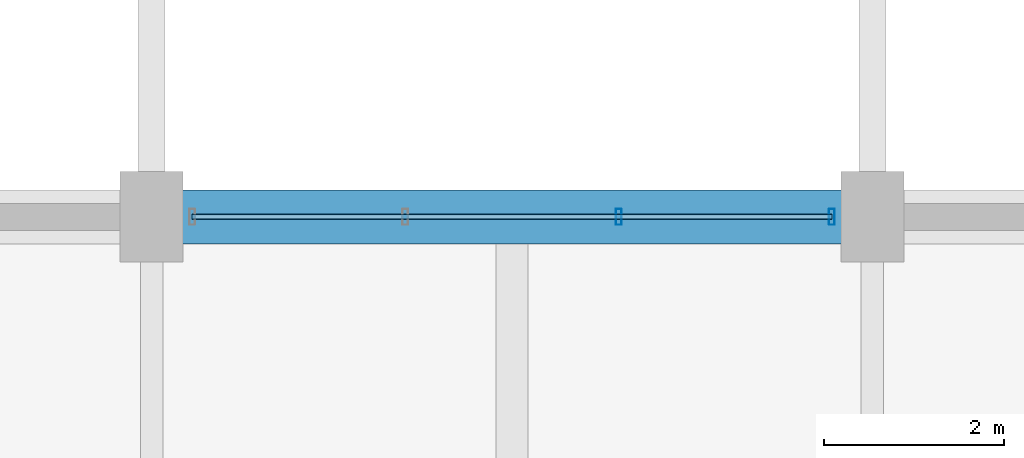
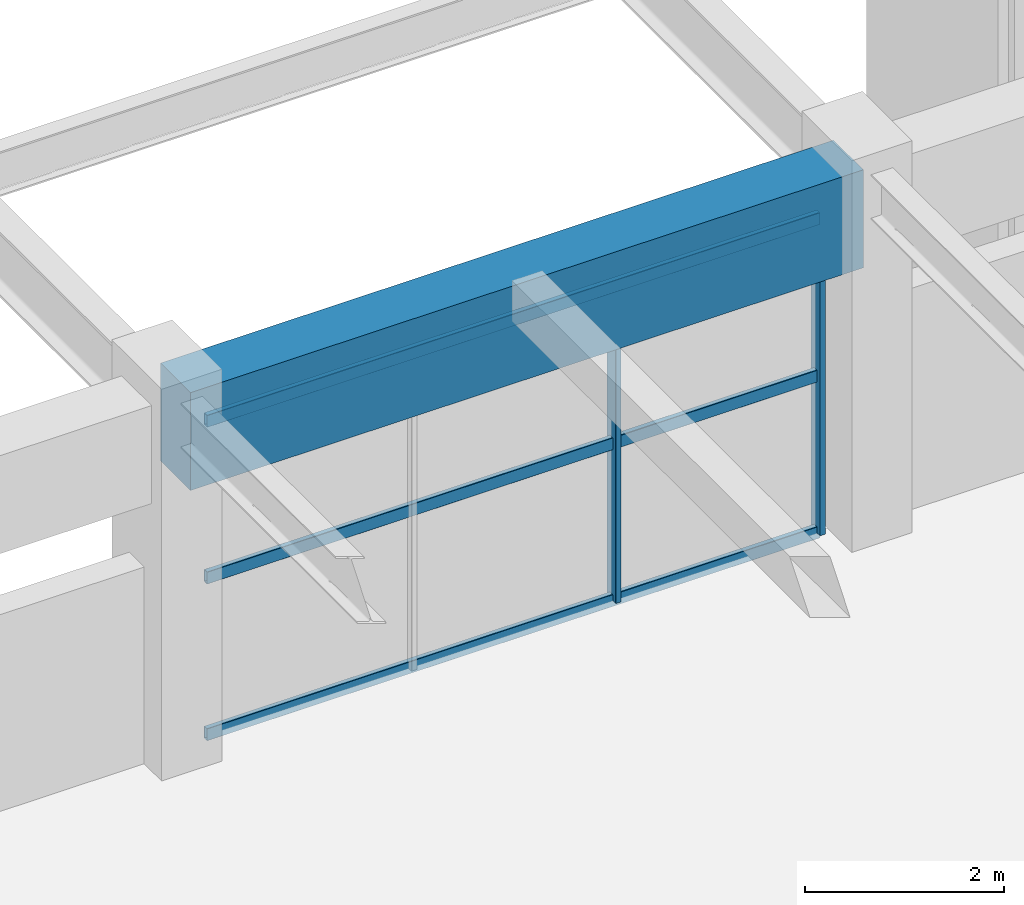
# One storey, part 25 of 144: 5 members, 1 beam, 1 element without a shape of its own.
"""IFC4 building model written with IfcOpenShell, lengths in metres."""

from ifc_helpers import new_model, si_unit, direction, frame, origin, origin_2d, place, context, subcontext, project, spatial, rectangle, hollow_rectangle, extrude, material, material_profile, profile_set, type_object, element, aggregate, save


model = new_model("IFC4")

# Units and contexts
model_context = context("Model", 3, precision=1e-05, world=origin(), true_north=direction((0.0, 1.0)))
body_context = subcontext(model_context, "Body", "Model", "MODEL_VIEW")
ifc_project = project(units=[si_unit("LENGTHUNIT", "METRE"), si_unit("AREAUNIT", "SQUARE_METRE"), si_unit("VOLUMEUNIT", "CUBIC_METRE"), si_unit("PLANEANGLEUNIT", "RADIAN"), si_unit("MASSUNIT", "GRAM", prefix="KILO")], contexts=[model_context])

# Site, building, storey
site_placement = place(None, origin())
site = spatial("IfcSite", under=ifc_project, at=site_placement, CompositionType="ELEMENT")
building_placement = place(site_placement, origin())
building = spatial("IfcBuilding", under=site, at=building_placement, Name="Varnabhumi Central Station", CompositionType="ELEMENT")
storey_placement = place(building_placement, frame((0.0, 0.0, 4.800048828125)))
storey = spatial("IfcBuildingStorey", under=building, at=storey_placement, Name="L01", CompositionType="ELEMENT", Elevation=4.800048828125)

# Beam
ifc_material_1 = material(Name="Concrete M50", Category="concrete")
ifc_material_profile_1 = material_profile(ifc_material_1, rectangle(XDim=0.60009765625, YDim=1.199951171875, at=origin_2d()), Name="Concrete M50", Category="concrete")
ifc_profile_set_1 = profile_set([ifc_material_profile_1], Name="Concrete M50")
beam_type = type_object("IfcBeamType", Name="BM-RC-1200x600", PredefinedType="BEAM", material=ifc_profile_set_1)
beam_placement = place(storey_placement, frame((72.10009765625, 36.0, 3.8798828125), z_axis=(1.0, 0.0, 0.0), x_axis=(0.0, 1.0, 0.0)))
element("IfcBeam", 1, at=beam_placement, inside=storey, type_object=beam_type, Name="Beam L01-E:10-11", PredefinedType="BEAM", context=body_context, shape_type="SweptSolid", body=[
    extrude(rectangle(XDim=0.60009765625, YDim=1.199951171875, at=origin_2d()), origin(), (0.0, 0.0, 1.0), 7.7998046875),
])

# Curtain wall, members
ifc_material_2 = material(Name="Anodised aluminium 6063-T6", Category="aluminium")
curtain_wall_type = type_object("IfcCurtainWallType", Name="CW-SPINE-SCREEN-L0", PredefinedType="NOTDEFINED", material=ifc_material_2)
curtain_wall_placement = place(storey_placement, origin())
curtain_wall = element("IfcCurtainWall", 2, at=curtain_wall_placement, inside=storey, type_object=curtain_wall_type, Name="Curtain Wall CW-SS109", PredefinedType="NOTDEFINED")
ifc_material_profile_2 = material_profile(ifc_material_2, hollow_rectangle(XDim=0.06494140625, YDim=0.179931640625, WallThickness=0.00390625, InnerFilletRadius=0.001953125, OuterFilletRadius=0.006103515625, at=origin_2d()), Name="Anodised aluminium 6063-T6", Category="aluminium")
ifc_profile_set_2 = profile_set([ifc_material_profile_2], Name="Anodised aluminium 6063-T6")
member_type_1 = type_object("IfcMemberType", Name="CW-MUL-180", PredefinedType="MULLION", material=ifc_profile_set_2)
member_1_placement = place(storey_placement, frame((77.183349609375, 36.0, 0.0), z_axis=(0.0, 0.0, 1.0), x_axis=(1.0, 0.0, 0.0)))
member_1 = element("IfcMember", 3, at=member_1_placement, type_object=member_type_1, Name="Curtain Wall Mullion CW-SS109-M3", PredefinedType="MULLION", context=body_context, shape_type="SweptSolid", body=[
    extrude(hollow_rectangle(XDim=0.06494140625, YDim=0.179931640625, WallThickness=0.00390625, InnerFilletRadius=0.001953125, OuterFilletRadius=0.006103515625, at=origin_2d()), origin(), (0.0, 0.0, 1.0), 3.83984375),
])
member_2_placement = place(storey_placement, frame((79.550048828125, 36.0, 0.0), z_axis=(0.0, 0.0, 1.0), x_axis=(1.0, 0.0, 0.0)))
member_2 = element("IfcMember", 4, at=member_2_placement, type_object=member_type_1, Name="Curtain Wall Mullion CW-SS109-M4", PredefinedType="MULLION", context=body_context, shape_type="SweptSolid", body=[
    extrude(hollow_rectangle(XDim=0.06494140625, YDim=0.179931640625, WallThickness=0.00390625, InnerFilletRadius=0.001953125, OuterFilletRadius=0.006103515625, at=origin_2d()), origin(), (0.0, 0.0, 1.0), 3.83984375),
])
ifc_material_profile_3 = material_profile(ifc_material_2, hollow_rectangle(XDim=0.06005859375, YDim=0.14990234375, WallThickness=0.00390625, InnerFilletRadius=0.001953125, OuterFilletRadius=0.006103515625, at=origin_2d()), Name="Anodised aluminium 6063-T6", Category="aluminium")
ifc_profile_set_3 = profile_set([ifc_material_profile_3], Name="Anodised aluminium 6063-T6")
member_type_2 = type_object("IfcMemberType", Name="CW-TR-150", PredefinedType="USERDEFINED", material=ifc_profile_set_3)
member_3_placement = place(storey_placement, frame((72.449951171875, 36.0, 0.0), z_axis=(1.0, 0.0, 0.0), x_axis=(0.0, 1.0, 0.0)))
member_3 = element("IfcMember", 5, at=member_3_placement, type_object=member_type_2, Name="Curtain Wall Transom CW-SS109-T1", ObjectType="TRANSOM", PredefinedType="USERDEFINED", context=body_context, shape_type="SweptSolid", body=[
    extrude(hollow_rectangle(XDim=0.06005859375, YDim=0.14990234375, WallThickness=0.00390625, InnerFilletRadius=0.001953125, OuterFilletRadius=0.006103515625, at=origin_2d()), origin(), (0.0, 0.0, 1.0), 7.10009765625),
])
member_4_placement = place(storey_placement, frame((72.449951171875, 36.0, 1.919921875), z_axis=(1.0, 0.0, 0.0), x_axis=(0.0, 1.0, 0.0)))
member_4 = element("IfcMember", 6, at=member_4_placement, type_object=member_type_2, Name="Curtain Wall Transom CW-SS109-T2", ObjectType="TRANSOM", PredefinedType="USERDEFINED", context=body_context, shape_type="SweptSolid", body=[
    extrude(hollow_rectangle(XDim=0.06005859375, YDim=0.14990234375, WallThickness=0.00390625, InnerFilletRadius=0.001953125, OuterFilletRadius=0.006103515625, at=origin_2d()), origin(), (0.0, 0.0, 1.0), 7.10009765625),
])
member_5_placement = place(storey_placement, frame((72.449951171875, 36.0, 3.83984375), z_axis=(1.0, 0.0, 0.0), x_axis=(0.0, 1.0, 0.0)))
member_5 = element("IfcMember", 7, at=member_5_placement, type_object=member_type_2, Name="Curtain Wall Transom CW-SS109-T3", ObjectType="TRANSOM", PredefinedType="USERDEFINED", context=body_context, shape_type="SweptSolid", body=[
    extrude(hollow_rectangle(XDim=0.06005859375, YDim=0.14990234375, WallThickness=0.00390625, InnerFilletRadius=0.001953125, OuterFilletRadius=0.006103515625, at=origin_2d()), origin(), (0.0, 0.0, 1.0), 7.10009765625),
])
aggregate(curtain_wall, [member_1, member_2, member_3, member_4, member_5])

save(model, "model.ifc")
